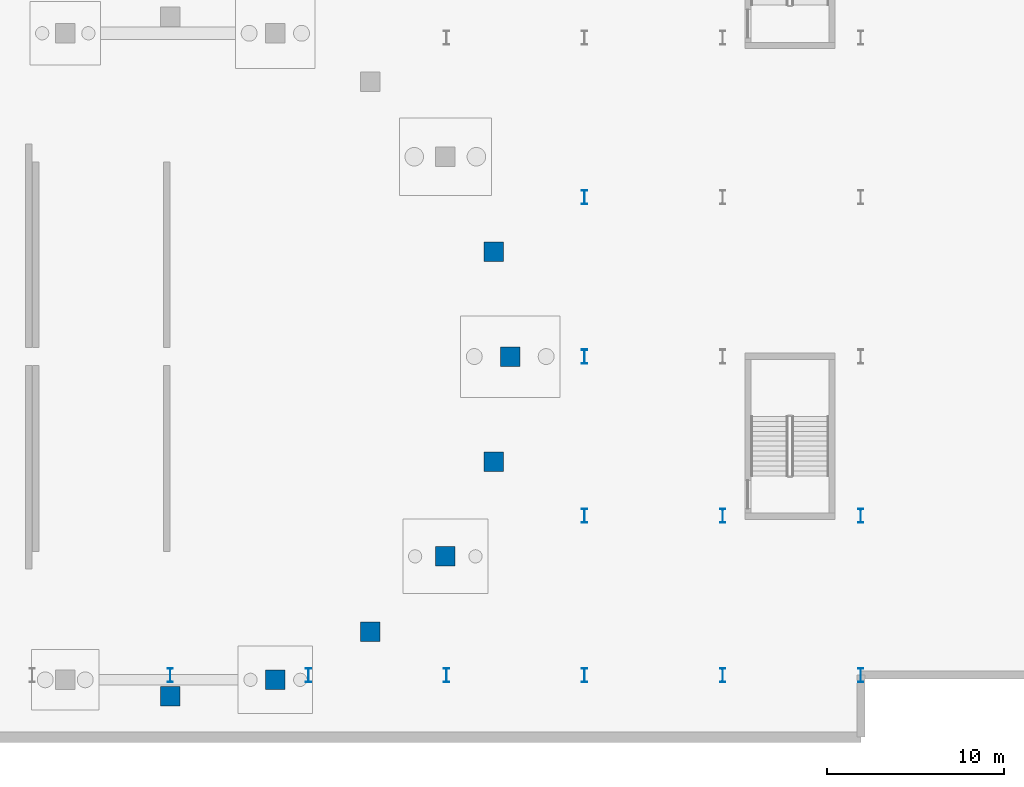
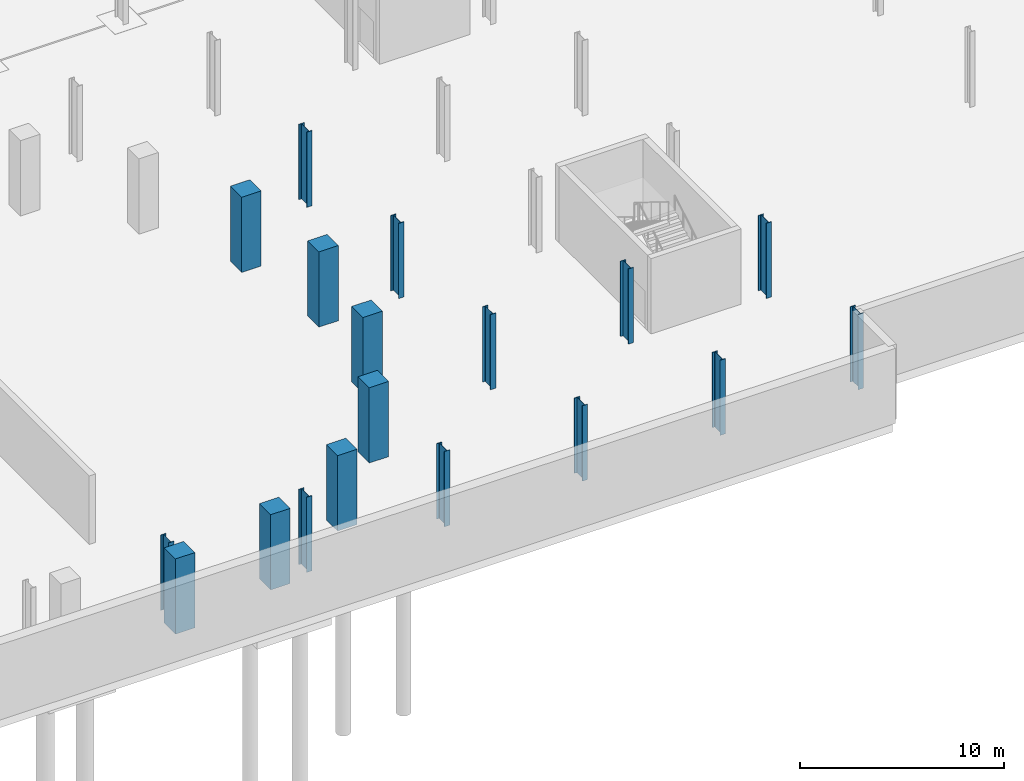
# One storey, part 7 of 45: 18 columns.
"""IFC4 building model written with IfcOpenShell, lengths in metres."""

from ifc_helpers import new_model, si_unit, direction, frame, origin, origin_2d, place, context, subcontext, project, spatial, rectangle, i_section, extrude, material, material_profile, profile_set, type_object, element, save


model = new_model("IFC4")

# Units and contexts
model_context = context("Model", 3, precision=1e-05, world=origin(), true_north=direction((0.0, 1.0)))
body_context = subcontext(model_context, "Body", "Model", "MODEL_VIEW")
ifc_project = project(units=[si_unit("LENGTHUNIT", "METRE"), si_unit("AREAUNIT", "SQUARE_METRE"), si_unit("VOLUMEUNIT", "CUBIC_METRE"), si_unit("PLANEANGLEUNIT", "RADIAN"), si_unit("MASSUNIT", "GRAM", prefix="KILO")], contexts=[model_context])

# Site, building, storey
site_placement = place(None, origin())
site = spatial("IfcSite", under=ifc_project, at=site_placement, CompositionType="ELEMENT")
building_placement = place(site_placement, origin())
building = spatial("IfcBuilding", under=site, at=building_placement, Name="Sefraquen Railside Congress Hotel", CompositionType="ELEMENT")
storey_placement = place(building_placement, frame((0.0, 0.0, -4.5)))
storey = spatial("IfcBuildingStorey", under=building, at=storey_placement, Name="B01", CompositionType="ELEMENT", Elevation=-4.5)

# Columns
ifc_material_1 = material(Name="Steel S355JR", Category="steel")
ifc_material_profile_1 = material_profile(ifc_material_1, i_section(OverallWidth=0.300048828125, OverallDepth=0.800048828125, WebThickness=0.017578125, FlangeThickness=0.032958984375, FilletRadius=0.030029296875, at=origin_2d()), Name="HEB 800")
ifc_profile_set_1 = profile_set([ifc_material_profile_1], Name="Steel S355JR")
column_type_1 = type_object("IfcColumnType", Name="TC-HEB-800", PredefinedType="COLUMN", material=ifc_profile_set_1)
for number, where, z_axis, x_axis, name in (
    (1, (64.199951171875, 9.0, 0.0), (0.0, 0.0, 1.0), (1.0, 0.0, 0.0), "Structural column 9-B B01"),
    (2, (72.0, 9.0, 0.0), (0.0, 0.0, 1.0), (1.0, 0.0, 0.0), "Structural column 10-B B01"),
    (3, (79.800048828125, 9.0, 0.0), (0.0, 0.0, 1.0), (1.0, 0.0, 0.0), "Structural column 11-B B01"),
    (4, (87.60009765625, 9.0, 0.0), (0.0, 0.0, 1.0), (1.0, 0.0, 0.0), "Structural column 12-B B01"),
    (5, (95.39990234375, 9.0, 0.0), (0.0, 0.0, 1.0), (1.0, 0.0, 0.0), "Structural column 13-B B01"),
    (6, (103.199951171875, 9.0, 0.0), (0.0, 0.0, 1.0), (1.0, 0.0, 0.0), "Structural column 14-B B01"),
    (7, (87.60009765625, 18.0, 0.0), (0.0, 0.0, 1.0), (1.0, 0.0, 0.0), "Structural column 12-C B01"),
    (8, (87.60009765625, 27.0, 0.0), (0.0, 0.0, 1.0), (1.0, 0.0, 0.0), "Structural column 12-D B01"),
    (9, (87.60009765625, 36.0, 0.0), (0.0, 0.0, 1.0), (1.0, 0.0, 0.0), "Structural column 12-E B01"),
    (10, (95.39990234375, 18.0, 0.0), (0.0, 0.0, 1.0), (1.0, 0.0, 0.0), "Structural column 13-C B01"),
    (11, (103.199951171875, 18.0, 0.0), (0.0, 0.0, 1.0), (1.0, 0.0, 0.0), "Structural column 14-C B01"),
):
    element("IfcColumn", number, at=place(storey_placement, frame(where, z_axis=z_axis, x_axis=x_axis)), inside=storey, type_object=column_type_1, Name=name, PredefinedType="COLUMN", context=body_context, shape_type="SweptSolid", body=[
        extrude(i_section(OverallWidth=0.300048828125, OverallDepth=0.800048828125, WebThickness=0.017578125, FlangeThickness=0.032958984375, FilletRadius=0.030029296875, at=origin_2d()), origin(), (0.0, 0.0, 1.0), 4.5),
    ])
ifc_material_2 = material(Name="Concrete C50/60", Category="concrete")
ifc_material_profile_2 = material_profile(ifc_material_2, rectangle(XDim=1.10009765625, YDim=1.10009765625, at=origin_2d()), Name="RC 1100x1100")
ifc_profile_set_2 = profile_set([ifc_material_profile_2], Name="Concrete C50/60")
column_type_2 = type_object("IfcColumnType", Name="TC-RC-1100", PredefinedType="COLUMN", material=ifc_profile_set_2)
for number, where, z_axis, x_axis, name in (
    (12, (83.39990234375, 27.0, 0.0), (0.0, 0.0, 1.0), (1.0, 0.0, 0.0), "Structural column DRM-01 B01"),
    (13, (82.460205078125, 32.93310546875, 0.0), (0.0, 0.0, 1.0), (1.0, 0.0, 0.0), "Structural column DRM-02 B01"),
    (14, (64.199951171875, 7.800048828125, 0.0), (0.0, 0.0, 1.0), (1.0, 0.0, 0.0), "Structural column DRM-16 B01"),
    (15, (70.133056640625, 8.73974609375, 0.0), (0.0, 0.0, 1.0), (1.0, 0.0, 0.0), "Structural column DRM-17 B01"),
    (16, (75.485595703125, 11.466796875, 0.0), (0.0, 0.0, 1.0), (1.0, 0.0, 0.0), "Structural column DRM-18 B01"),
    (17, (79.733154296875, 15.714599609375, 0.0), (0.0, 0.0, 1.0), (1.0, 0.0, 0.0), "Structural column DRM-19 B01"),
    (18, (82.460205078125, 21.06689453125, 0.0), (0.0, 0.0, 1.0), (1.0, 0.0, 0.0), "Structural column DRM-20 B01"),
):
    element("IfcColumn", number, at=place(storey_placement, frame(where, z_axis=z_axis, x_axis=x_axis)), inside=storey, type_object=column_type_2, Name=name, PredefinedType="COLUMN", context=body_context, shape_type="SweptSolid", body=[
        extrude(rectangle(XDim=1.10009765625, YDim=1.10009765625, at=origin_2d()), origin(), (0.0, 0.0, 1.0), 4.5),
    ])

save(model, "model.ifc")
